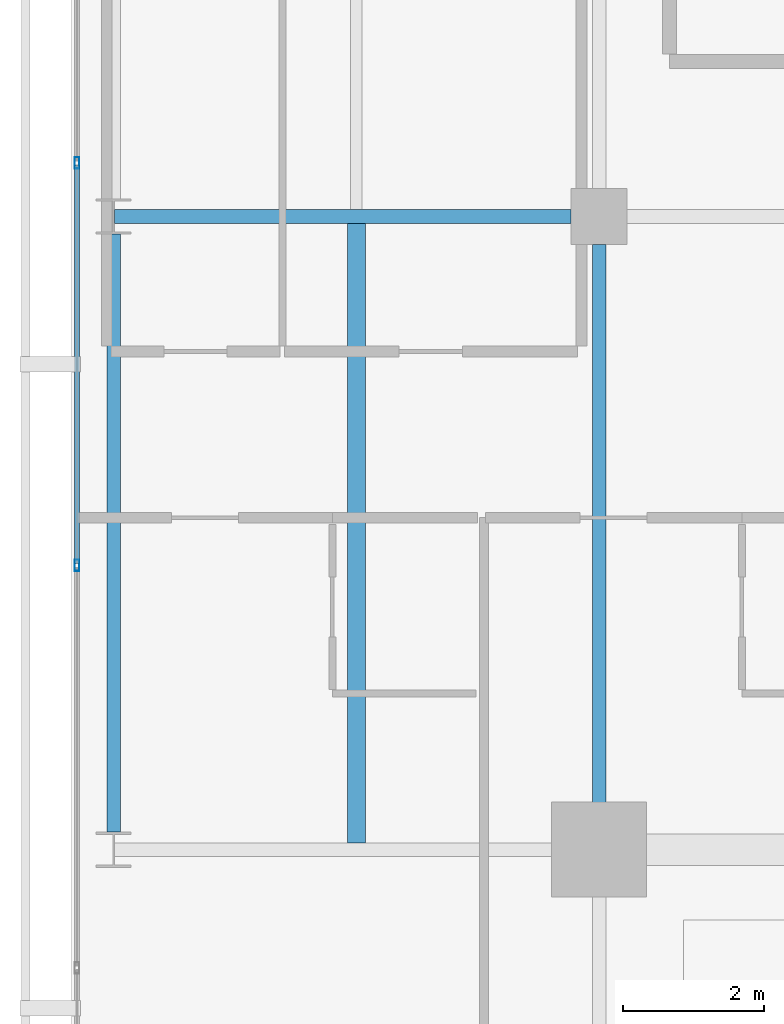
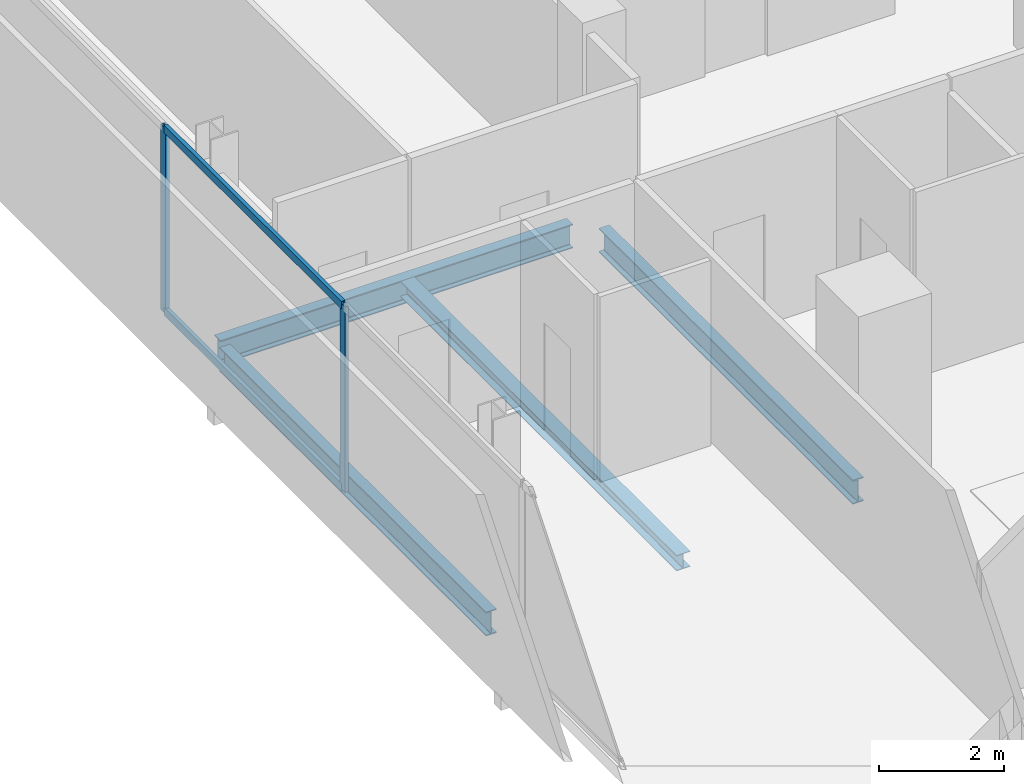
# One storey, part 7 of 24: 4 beams, 4 members, 1 element without a shape of its own.
"""IFC4 building model written with IfcOpenShell, lengths in metres."""

import ifcopenshell
import ifcopenshell.guid

model = None  # the IFC model being written
_history = None  # IfcOwnerHistory: only IFC2X3 demands one
_inside = {}  # id of a spatial element -> (the spatial element, [elements in it])
_under = {}  # id of a project, library or spatial element -> (it, [spatial elements below it])
_declared = {}  # id of a project -> (the project, [libraries it declares])
_typed = {}  # id of a type object -> (the type object, [elements of that type])
_made_of = {}  # id of a material, layer set ... -> (it, [elements and type objects made of it])


def new_model(schema):
    """Start an empty IFC model of exactly this schema.

    Asked for "IFC4X3", IfcOpenShell would pick the latest addendum, in which some entities
    have other attributes; the version numbers below select the first issue.
    IFC2X3 requires an IfcOwnerHistory on every rooted entity: one is made here for all.
    """
    global model, _history
    if schema == "IFC4X3":
        model = ifcopenshell.file(schema_version=(4, 3, 0, 0))
    else:
        model = ifcopenshell.file(schema=schema)
    _inside.clear()
    _under.clear()
    _declared.clear()
    _typed.clear()
    _made_of.clear()
    _history = None
    if model.schema == "IFC2X3":
        org = make("IfcOrganization", Name="unknown")
        user = make(
            "IfcPersonAndOrganization",
            ThePerson=make("IfcPerson", FamilyName="unknown"),
            TheOrganization=org,
        )
        app = make(
            "IfcApplication",
            ApplicationDeveloper=org,
            Version="unknown",
            ApplicationFullName="unknown",
            ApplicationIdentifier="unknown",
        )
        _history = make(
            "IfcOwnerHistory",
            OwningUser=user,
            OwningApplication=app,
            ChangeAction="ADDED",
            CreationDate=0,
        )
    return model


def make(cls, **values):
    """One entity of the class cls with the attributes given. An attribute that is None is left unset."""
    return model.create_entity(
        cls, **{name: value for name, value in values.items() if value is not None}
    )


def rooted(cls, **values):
    """An entity with a GlobalId (a new one), such as an element, a storey or a relation."""
    return make(cls, GlobalId=ifcopenshell.guid.new(), OwnerHistory=_history, **values)


def si_unit(unit_type, name, prefix=None):
    """IfcSIUnit, for example si_unit("LENGTHUNIT", "METRE", prefix="MILLI")."""
    return make("IfcSIUnit", UnitType=unit_type, Prefix=prefix, Name=name)


def assignment(units):
    """IfcUnitAssignment: the units of a project."""
    return None if units is None else make("IfcUnitAssignment", Units=units)


def point(xyz):
    """IfcCartesianPoint."""
    return None if xyz is None else make("IfcCartesianPoint", Coordinates=xyz)


def direction(xyz):
    """IfcDirection."""
    return None if xyz is None else make("IfcDirection", DirectionRatios=xyz)


def frame(location, z_axis=None, x_axis=None):
    """IfcAxis2Placement3D, a coordinate frame: its origin and axes. An axis left out is left unset."""
    return make(
        "IfcAxis2Placement3D",
        Location=point(location),
        Axis=direction(z_axis),
        RefDirection=direction(x_axis),
    )


def frame_2d(location, x_axis=None):
    """IfcAxis2Placement2D, a coordinate frame in the plane: its origin and x axis."""
    return make(
        "IfcAxis2Placement2D", Location=point(location), RefDirection=direction(x_axis)
    )


def origin():
    """The frame at (0, 0, 0) with its axes left unset."""
    return frame((0.0, 0.0, 0.0))


def origin_2d():
    """The frame at (0, 0) in the plane with its x axis left unset."""
    return frame_2d((0.0, 0.0))


def place(relative_to, where):
    """IfcLocalPlacement: puts the frame where relative to a parent placement (None: the world)."""
    return make(
        "IfcLocalPlacement", PlacementRelTo=relative_to, RelativePlacement=where
    )


def context(
    kind, dimensions, precision=None, world=None, true_north=None, identifier=None
):
    """IfcGeometricRepresentationContext, for example the 3D "Model" context."""
    return make(
        "IfcGeometricRepresentationContext",
        ContextIdentifier=identifier,
        ContextType=kind,
        CoordinateSpaceDimension=dimensions,
        Precision=precision,
        WorldCoordinateSystem=world,
        TrueNorth=true_north,
    )


def subcontext(parent, identifier, kind, view, scale=None):
    """IfcGeometricRepresentationSubContext, for example "Body" below "Model"."""
    return make(
        "IfcGeometricRepresentationSubContext",
        ContextIdentifier=identifier,
        ContextType=kind,
        ParentContext=parent,
        TargetScale=scale,
        TargetView=view,
    )


def project(units=None, contexts=None):
    """IfcProject with its units and contexts."""
    return rooted(
        "IfcProject",
        Name="project",
        RepresentationContexts=contexts,
        UnitsInContext=assignment(units),
    )


def spatial(cls, under=None, at=None, **own):
    """A site, building, storey or space (cls), placed at a placement, below another one or the project."""
    s = rooted(cls, ObjectPlacement=at, **own)
    if under is not None:
        _under.setdefault(under.id(), (under, []))[1].append(s)
    return s


def profile(cls, at=None, kind="AREA", **sizes):
    """A parametric profile (cls). Its sizes go by their IFC names, for example OverallWidth=200.0."""
    return make(cls, ProfileType=kind, Position=at, **sizes)


def hollow_rectangle(**sizes):
    """IfcRectangleHollowProfileDef."""
    return profile("IfcRectangleHollowProfileDef", **sizes)


def i_section(**sizes):
    """IfcIShapeProfileDef."""
    return profile("IfcIShapeProfileDef", **sizes)


def extrude(swept, where, along, depth):
    """IfcExtrudedAreaSolid: the profile swept, set in the frame where, extruded along a direction by depth."""
    return make(
        "IfcExtrudedAreaSolid",
        SweptArea=swept,
        Position=where,
        ExtrudedDirection=direction(along),
        Depth=depth,
    )


def shape(context_of_items, identifier, shape_type, items):
    """IfcShapeRepresentation: the items that make up one representation, for example the "Body"."""
    return make(
        "IfcShapeRepresentation",
        ContextOfItems=context_of_items,
        RepresentationIdentifier=identifier,
        RepresentationType=shape_type,
        Items=items,
    )


def material(Name=None, Category=None):
    """IfcMaterial."""
    return make("IfcMaterial", Name=Name, Category=Category)


def layer(
    of_material, thickness, ventilated=None, Name=None, Category=None, Priority=None
):
    """IfcMaterialLayer: one layer of a wall or slab, of a material (None: an air gap)."""
    return make(
        "IfcMaterialLayer",
        Material=of_material,
        LayerThickness=thickness,
        IsVentilated=ventilated,
        Name=Name,
        Category=Category,
        Priority=Priority,
    )


def layer_set(layers, Name=None):
    """IfcMaterialLayerSet."""
    return make("IfcMaterialLayerSet", MaterialLayers=layers, LayerSetName=Name)


def material_profile(
    of_material, cross_section, Name=None, Category=None, Priority=None
):
    """IfcMaterialProfile: a cross section and its material."""
    return make(
        "IfcMaterialProfile",
        Name=Name,
        Material=of_material,
        Profile=cross_section,
        Priority=Priority,
        Category=Category,
    )


def profile_set(profiles, Name=None, composite=None):
    """IfcMaterialProfileSet."""
    return make(
        "IfcMaterialProfileSet",
        Name=Name,
        MaterialProfiles=profiles,
        CompositeProfile=composite,
    )


def made_of(thing, what):
    """Note that an element or type object is made of a material, layer set ...; save() writes the relation."""
    if what is not None:
        _made_of.setdefault(what.id(), (what, []))[1].append(thing)
    return thing


def type_object(cls, material=None, **own):
    """A type object (cls), such as IfcWallType, which elements share."""
    return made_of(rooted(cls, **own), material)


def element(
    cls,
    number,
    at=None,
    inside=None,
    cuts=None,
    type_object=None,
    material=None,
    context=None,
    identifier="Body",
    shape_type=None,
    held_by="IfcProductDefinitionShape",
    body=None,
    shapes=None,
    **own,
):
    """One element of the class cls, such as IfcWall. Its Tag is "e" and its number.

    at: its placement. inside: the storey or other place that contains it. cuts: it is an
    opening in that element (IfcRelVoidsElement). A single representation is given by context,
    identifier, shape_type and body (its items); several are given by shapes. held_by: the class
    of the entity that holds the representations. save() writes the other relations.
    """
    e = rooted(cls, Tag="e%d" % number, ObjectPlacement=at, **own)
    if body is not None:
        shapes = [shape(context, identifier, shape_type, body)]
    if shapes is not None:
        e.Representation = make(held_by, Representations=shapes)
    if inside is not None:
        _inside.setdefault(inside.id(), (inside, []))[1].append(e)
    if cuts is not None:
        rooted(
            "IfcRelVoidsElement", RelatingBuildingElement=cuts, RelatedOpeningElement=e
        )
    if type_object is not None:
        _typed.setdefault(type_object.id(), (type_object, []))[1].append(e)
    return made_of(e, material)


def aggregate(whole, parts):
    """IfcRelAggregates: a whole, such as a stair, and the parts it consists of."""
    return rooted("IfcRelAggregates", RelatingObject=whole, RelatedObjects=parts)


def save(model, path):
    """Write the relations noted so far, then the file.

    IfcRelAggregates (storeys below a building ...), IfcRelContainedInSpatialStructure (elements
    in a storey), IfcRelDefinesByType, IfcRelAssociatesMaterial and IfcRelDeclares: one each for
    every whole, place, type object, material and project.
    """
    for whole, parts in _under.values():
        aggregate(whole, parts)
    for where, things in _inside.values():
        rooted(
            "IfcRelContainedInSpatialStructure",
            RelatedElements=things,
            RelatingStructure=where,
        )
    for kind, things in _typed.values():
        rooted("IfcRelDefinesByType", RelatedObjects=things, RelatingType=kind)
    for what, things in _made_of.values():
        rooted("IfcRelAssociatesMaterial", RelatedObjects=things, RelatingMaterial=what)
    for by, libraries in _declared.values():
        rooted("IfcRelDeclares", RelatingContext=by, RelatedDefinitions=libraries)
    model.write(path)


model = new_model("IFC4")

# Units and contexts
model_context = context("Model", 3, precision=1e-05, world=origin(), true_north=direction((0.0, 1.0)))
body_context = subcontext(model_context, "Body", "Model", "MODEL_VIEW")
ifc_project = project(units=[si_unit("LENGTHUNIT", "METRE"), si_unit("AREAUNIT", "SQUARE_METRE"), si_unit("VOLUMEUNIT", "CUBIC_METRE"), si_unit("PLANEANGLEUNIT", "RADIAN"), si_unit("MASSUNIT", "GRAM", prefix="KILO")], contexts=[model_context])

# Site, building, storey
site_placement = place(None, origin())
site = spatial("IfcSite", under=ifc_project, at=site_placement, CompositionType="ELEMENT")
building_placement = place(site_placement, origin())
building = spatial("IfcBuilding", under=site, at=building_placement, Name="Maruvema Waterfront Hotel and Observation Tower", CompositionType="ELEMENT")
storey_placement = place(building_placement, frame((0.0, 0.0, 333.550048828125)))
storey = spatial("IfcBuildingStorey", under=building, at=storey_placement, Name="L82", CompositionType="ELEMENT", Elevation=333.550048828125)

# Curtain wall, members
ifc_material_1 = material(Name="Anodised bronze aluminium and solar-control low-E IGU", Category="aluminium")
ifc_layer = layer(ifc_material_1, 0.159912109375, Name="Zone 4 Sky Residence Inner Curtain Wall System CW-05")
ifc_layer_set = layer_set([ifc_layer], Name="Anodised bronze aluminium and solar-control low-E IGU")
curtain_wall_type = type_object("IfcCurtainWallType", Name="Zone 4 Sky Residence Inner Curtain Wall System CW-05", PredefinedType="USERDEFINED", material=ifc_layer_set)
curtain_wall_placement = place(storey_placement, origin())
curtain_wall = element("IfcCurtainWall", 1, at=curtain_wall_placement, inside=storey, type_object=curtain_wall_type, Name="L82 Curtain Wall CW-L82-W", ObjectType="UNITISED CURTAIN WALL", PredefinedType="USERDEFINED")
ifc_material_2 = material(Name="Anodised architectural bronze aluminium", Category="aluminium")
ifc_material_profile_1 = material_profile(ifc_material_2, hollow_rectangle(XDim=0.070068359375, YDim=0.14990234375, WallThickness=0.00390625, at=origin_2d()), Name="ALU-T70x150")
ifc_profile_set_1 = profile_set([ifc_material_profile_1], Name="Anodised architectural bronze aluminium")
member_type_1 = type_object("IfcMemberType", Name="Curtain Wall Horizontal Transom ALU-T70x150", PredefinedType="USERDEFINED", material=ifc_profile_set_1)
member_1_placement = place(storey_placement, frame((17.780029296875, 36.72998046875, 0.030029296875), z_axis=(0.0, -1.0, 0.0), x_axis=(1.0, 0.0, 0.0)))
member_1 = element("IfcMember", 2, at=member_1_placement, type_object=member_type_1, Name="CW-05 transom 3.1", ObjectType="TRANSOM", PredefinedType="USERDEFINED", context=body_context, shape_type="SweptSolid", body=[
    extrude(hollow_rectangle(XDim=0.070068359375, YDim=0.14990234375, WallThickness=0.00390625, at=origin_2d()), origin(), (0.0, 0.0, 1.0), 5.659912109375),
])
member_2_placement = place(storey_placement, frame((17.780029296875, 36.72998046875, 3.579833984375), z_axis=(0.0, -1.0, 0.0), x_axis=(1.0, 0.0, 0.0)))
member_2 = element("IfcMember", 3, at=member_2_placement, type_object=member_type_1, Name="CW-05 transom 3.2", ObjectType="TRANSOM", PredefinedType="USERDEFINED", context=body_context, shape_type="SweptSolid", body=[
    extrude(hollow_rectangle(XDim=0.070068359375, YDim=0.14990234375, WallThickness=0.00390625, at=origin_2d()), origin(), (0.0, 0.0, 1.0), 5.659912109375),
])
ifc_material_3 = material(Name="Anodised architectural bronze aluminium", Category="aluminium")
ifc_material_profile_2 = material_profile(ifc_material_3, hollow_rectangle(XDim=0.06494140625, YDim=0.1650390625, WallThickness=0.00390625, at=origin_2d()), Name="ALU-M65x165")
ifc_profile_set_2 = profile_set([ifc_material_profile_2], Name="Anodised architectural bronze aluminium")
member_type_2 = type_object("IfcMemberType", Name="Curtain Wall Primary Mullion ALU-M65x165", PredefinedType="MULLION", material=ifc_profile_set_2)
member_3_placement = place(storey_placement, frame((17.780029296875, 36.760009765625, 0.0), z_axis=(0.0, 0.0, 1.0), x_axis=(1.0, 0.0, 0.0)))
member_3 = element("IfcMember", 4, at=member_3_placement, type_object=member_type_2, Name="CW-05 mullion 3", PredefinedType="MULLION", context=body_context, shape_type="SweptSolid", body=[
    extrude(hollow_rectangle(XDim=0.06494140625, YDim=0.1650390625, WallThickness=0.00390625, at=origin_2d()), origin(), (0.0, 0.0, 1.0), 3.60986328125),
])
member_4_placement = place(storey_placement, frame((17.780029296875, 31.0400390625, 0.0), z_axis=(0.0, 0.0, 1.0), x_axis=(1.0, 0.0, 0.0)))
member_4 = element("IfcMember", 5, at=member_4_placement, type_object=member_type_2, Name="CW-05 mullion 4", PredefinedType="MULLION", context=body_context, shape_type="SweptSolid", body=[
    extrude(hollow_rectangle(XDim=0.06494140625, YDim=0.1650390625, WallThickness=0.00390625, at=origin_2d()), origin(), (0.0, 0.0, 1.0), 3.60986328125),
])
aggregate(curtain_wall, [member_3, member_4, member_1, member_2])

# Beams
ifc_material_4 = material(Name="Steel ASTM A572 Grade 50", Category="steel")
ifc_material_profile_3 = material_profile(ifc_material_4, i_section(OverallWidth=0.194091796875, OverallDepth=0.468994140625, WebThickness=0.0126953125, FlangeThickness=0.0205078125, FilletRadius=0.014892578125, at=origin_2d()), Name="W460x106.0")
ifc_profile_set_3 = profile_set([ifc_material_profile_3], Name="Steel ASTM A572 Grade 50")
beam_type_1 = type_object("IfcBeamType", Name="Primary Floor Girder W460x106.0", PredefinedType="BEAM", material=ifc_profile_set_3)
beam_1_placement = place(storey_placement, frame((18.31103515625, 36.0, -0.474609375), z_axis=(1.0, 0.0, 0.0), x_axis=(0.0, 1.0, 0.0)))
element("IfcBeam", 6, at=beam_1_placement, inside=storey, type_object=beam_type_1, Name="L82 Floor Girder EW-10", PredefinedType="BEAM", context=body_context, shape_type="SweptSolid", body=[
    extrude(i_section(OverallWidth=0.194091796875, OverallDepth=0.468994140625, WebThickness=0.0126953125, FlangeThickness=0.0205078125, FilletRadius=0.014892578125, at=origin_2d()), origin(), (0.0, 0.0, 1.0), 6.489013671875),
])
beam_2_placement = place(storey_placement, frame((18.300048828125, 27.25, -0.474609375), z_axis=(0.0, 1.0, 0.0), x_axis=(-1.0, 0.0, 0.0)))
element("IfcBeam", 7, at=beam_2_placement, inside=storey, type_object=beam_type_1, Name="L82 Floor Girder NS-01", PredefinedType="BEAM", context=body_context, shape_type="SweptSolid", body=[
    extrude(i_section(OverallWidth=0.194091796875, OverallDepth=0.468994140625, WebThickness=0.0126953125, FlangeThickness=0.0205078125, FilletRadius=0.014892578125, at=origin_2d()), origin(), (0.0, 0.0, 1.0), 8.5),
])
beam_3_placement = place(storey_placement, frame((25.199951171875, 27.5, -0.474609375), z_axis=(0.0, 1.0, 0.0), x_axis=(-1.0, 0.0, 0.0)))
element("IfcBeam", 8, at=beam_3_placement, inside=storey, type_object=beam_type_1, Name="L82 Floor Girder NS-05", PredefinedType="BEAM", context=body_context, shape_type="SweptSolid", body=[
    extrude(i_section(OverallWidth=0.194091796875, OverallDepth=0.468994140625, WebThickness=0.0126953125, FlangeThickness=0.0205078125, FilletRadius=0.014892578125, at=origin_2d()), origin(), (0.0, 0.0, 1.0), 8.10009765625),
])
ifc_material_5 = material(Name="Steel ASTM A572 Grade 50", Category="steel")
ifc_material_profile_4 = material_profile(ifc_material_5, i_section(OverallWidth=0.25390625, OverallDepth=0.305908203125, WebThickness=0.0087890625, FlangeThickness=0.0146484375, FilletRadius=0.014892578125, at=origin_2d()), Name="W310x79.0")
ifc_profile_set_4 = profile_set([ifc_material_profile_4], Name="Steel ASTM A572 Grade 50")
beam_type_2 = type_object("IfcBeamType", Name="Secondary Floor Joist W310x79.0", PredefinedType="JOIST", material=ifc_profile_set_4)
beam_4_placement = place(storey_placement, frame((21.75, 27.096923828125, -0.39306640625), z_axis=(0.0, 1.0, 0.0), x_axis=(-1.0, 0.0, 0.0)))
element("IfcBeam", 9, at=beam_4_placement, inside=storey, type_object=beam_type_2, Name="L82 Secondary Floor Joist JS-01", PredefinedType="JOIST", context=body_context, shape_type="SweptSolid", body=[
    extrude(i_section(OverallWidth=0.25390625, OverallDepth=0.305908203125, WebThickness=0.0087890625, FlangeThickness=0.0146484375, FilletRadius=0.014892578125, at=origin_2d()), origin(), (0.0, 0.0, 1.0), 8.80615234375),
])

save(model, "model.ifc")
